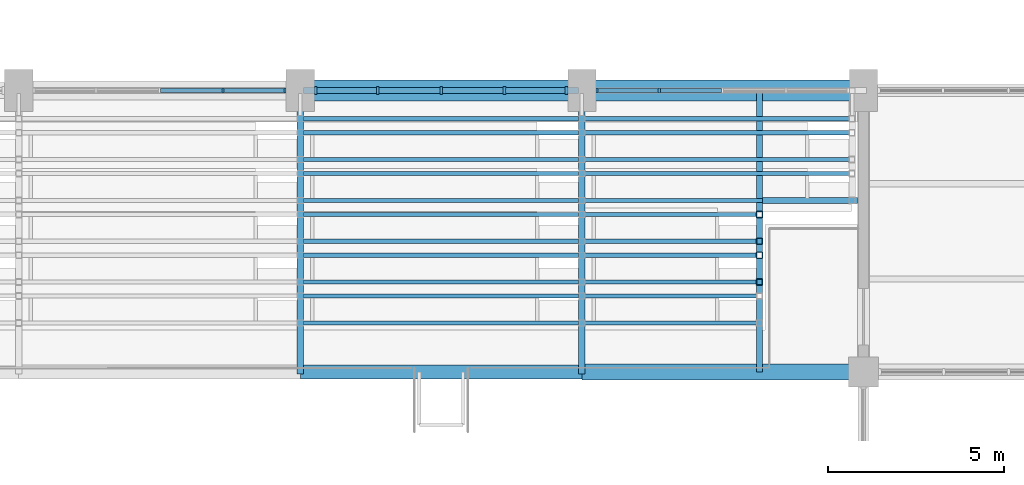
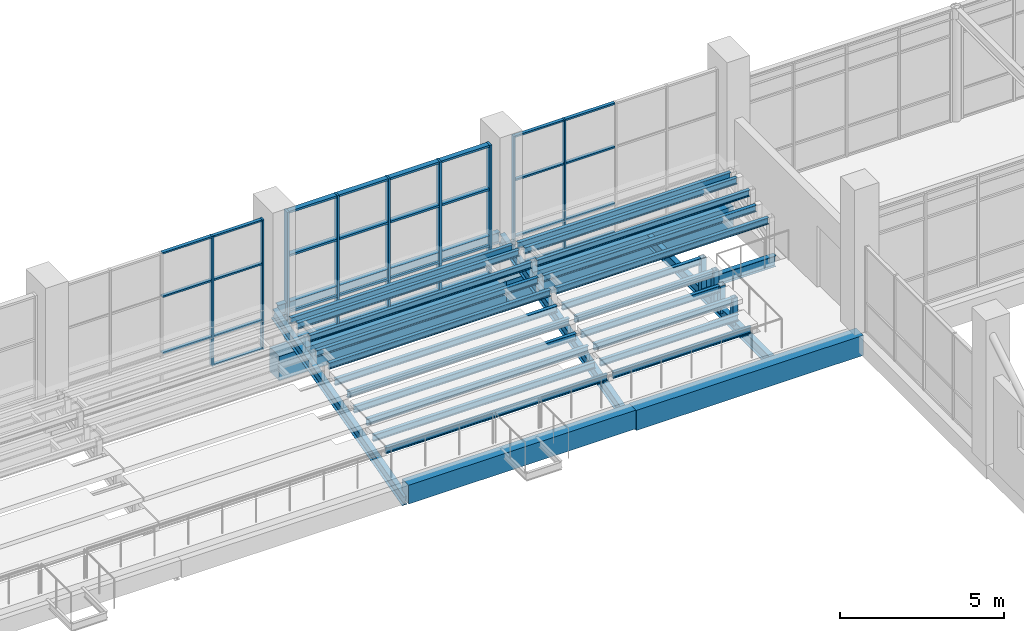
# One storey, part 17 of 122: 44 members, 31 beams, 3 elements without a shape of their own.
"""IFC4 building model written with IfcOpenShell, lengths in metres."""

from ifc_helpers import new_model, si_unit, direction, frame, origin, origin_2d, place, context, subcontext, project, spatial, rectangle, hollow_rectangle, i_section, extrude, material, material_profile, profile_set, type_object, element, aggregate, save


model = new_model("IFC4")

# Units and contexts
model_context = context("Model", 3, precision=1e-05, world=origin(), true_north=direction((0.0, 1.0)))
body_context = subcontext(model_context, "Body", "Model", "MODEL_VIEW")
ifc_project = project(units=[si_unit("LENGTHUNIT", "METRE"), si_unit("AREAUNIT", "SQUARE_METRE"), si_unit("VOLUMEUNIT", "CUBIC_METRE"), si_unit("PLANEANGLEUNIT", "RADIAN"), si_unit("MASSUNIT", "GRAM", prefix="KILO")], contexts=[model_context])

# Site, building, storey
site_placement = place(None, origin())
site = spatial("IfcSite", under=ifc_project, at=site_placement, CompositionType="ELEMENT")
building_placement = place(site_placement, origin())
building = spatial("IfcBuilding", under=site, at=building_placement, Name="Tenunan Teduh Sports Hall", CompositionType="ELEMENT")
storey_placement = place(building_placement, frame((0.0, 0.0, 5.39990234375)))
storey = spatial("IfcBuildingStorey", under=building, at=storey_placement, Name="L01", CompositionType="ELEMENT", Elevation=5.39990234375)

# Beams
ifc_material_1 = material(Name="Concrete C40/50", Category="concrete")
ifc_material_profile_1 = material_profile(ifc_material_1, rectangle(XDim=0.39990234375, YDim=0.699951171875, at=origin_2d()), Name="RCB 400x700")
ifc_profile_set_1 = profile_set([ifc_material_profile_1], Name="Concrete C40/50")
beam_type_1 = type_object("IfcBeamType", Name="BM-RC-400x700", PredefinedType="BEAM", material=ifc_profile_set_1)
beam_1_placement = place(storey_placement, frame((38.0, 38.0, -0.60986328125), z_axis=(1.0, 0.0, 0.0), x_axis=(0.0, 1.0, 0.0)))
element("IfcBeam", 1, at=beam_1_placement, inside=storey, type_object=beam_type_1, Name="BM-B-08-L01-1058", PredefinedType="BEAM", context=body_context, shape_type="SweptSolid", body=[
    extrude(rectangle(XDim=0.39990234375, YDim=0.699951171875, at=origin_2d()), origin(), (0.0, 0.0, 1.0), 8.0),
])
ifc_material_2 = material(Name="Concrete C40/50", Category="concrete")
ifc_material_profile_2 = material_profile(ifc_material_2, rectangle(XDim=0.449951171875, YDim=0.75, at=origin_2d()), Name="RCB 450x750")
ifc_profile_set_2 = profile_set([ifc_material_profile_2], Name="Concrete C40/50")
beam_type_2 = type_object("IfcBeamType", Name="BM-RC-450x750", PredefinedType="BEAM", material=ifc_profile_set_2)
beam_2_placement = place(storey_placement, frame((46.0, 38.0, -0.635009765625), z_axis=(1.0, 0.0, 0.0), x_axis=(0.0, 1.0, 0.0)))
element("IfcBeam", 2, at=beam_2_placement, inside=storey, type_object=beam_type_2, Name="BM-B-11-L01-1059", PredefinedType="BEAM", context=body_context, shape_type="SweptSolid", body=[
    extrude(rectangle(XDim=0.449951171875, YDim=0.75, at=origin_2d()), origin(), (0.0, 0.0, 1.0), 8.0),
])
ifc_material_3 = material(Name="Concrete C40/50", Category="concrete")
ifc_material_profile_3 = material_profile(ifc_material_3, rectangle(XDim=0.60009765625, YDim=1.0, at=origin_2d()), Name="RCB 600x1000")
ifc_profile_set_3 = profile_set([ifc_material_profile_3], Name="Concrete C40/50")
beam_type_3 = type_object("IfcBeamType", Name="BM-RC-600x1000", PredefinedType="BEAM", material=ifc_profile_set_3)
beam_3_placement = place(storey_placement, frame((46.0, 46.0, -0.760009765625), z_axis=(1.0, 0.0, 0.0), x_axis=(0.0, 1.0, 0.0)))
element("IfcBeam", 3, at=beam_3_placement, inside=storey, type_object=beam_type_3, Name="BM-B-18-L01-1075", PredefinedType="BEAM", context=body_context, shape_type="SweptSolid", body=[
    extrude(rectangle(XDim=0.60009765625, YDim=1.0, at=origin_2d()), origin(), (0.0, 0.0, 1.0), 8.0),
])
ifc_material_4 = material(Name="Concrete C40/50", Category="concrete")
ifc_material_profile_4 = material_profile(ifc_material_4, rectangle(XDim=0.60009765625, YDim=0.89990234375, at=origin_2d()), Name="RCB 600x900")
ifc_profile_set_4 = profile_set([ifc_material_profile_4], Name="Concrete C40/50")
beam_type_4 = type_object("IfcBeamType", Name="BM-RC-600x900", PredefinedType="BEAM", material=ifc_profile_set_4)
beam_4_placement = place(storey_placement, frame((38.0, 46.0, -0.7099609375), z_axis=(1.0, 0.0, 0.0), x_axis=(0.0, 1.0, 0.0)))
element("IfcBeam", 4, at=beam_4_placement, inside=storey, type_object=beam_type_4, Name="BM-B-17-L01-1074", PredefinedType="BEAM", context=body_context, shape_type="SweptSolid", body=[
    extrude(rectangle(XDim=0.60009765625, YDim=0.89990234375, at=origin_2d()), origin(), (0.0, 0.0, 1.0), 8.0),
])

# Curtain wall, members
ifc_material_5 = material(Name="Anodised aluminium", Category="aluminium")
curtain_wall_type = type_object("IfcCurtainWallType", Name="CW-UNIT-1", PredefinedType="NOTDEFINED", material=ifc_material_5)
curtain_wall_1_placement = place(storey_placement, origin())
curtain_wall_1 = element("IfcCurtainWall", 5, at=curtain_wall_1_placement, inside=storey, type_object=curtain_wall_type, Name="CW-CWM-150-L01-047", PredefinedType="NOTDEFINED")
ifc_material_6 = material(Name="Anodised aluminium", Category="aluminium")
ifc_material_profile_5 = material_profile(ifc_material_6, rectangle(XDim=0.06005859375, YDim=0.14990234375, at=origin_2d()), Name="CWM 60x150")
ifc_profile_set_5 = profile_set([ifc_material_profile_5], Name="Anodised aluminium")
member_type_1 = type_object("IfcMemberType", Name="CWM-150", PredefinedType="MULLION", material=ifc_profile_set_5)
member_1_placement = place(storey_placement, frame((35.800048828125, 46.0, 0.0), z_axis=(0.0, 0.0, 1.0), x_axis=(1.0, 0.0, 0.0)))
member_1 = element("IfcMember", 6, at=member_1_placement, type_object=member_type_1, Name="CW-01 mullion 4", PredefinedType="MULLION", context=body_context, shape_type="SweptSolid", body=[
    extrude(rectangle(XDim=0.06005859375, YDim=0.14990234375, at=origin_2d()), origin(), (0.0, 0.0, 1.0), 4.85009765625),
])
member_2_placement = place(storey_placement, frame((37.570068359375, 46.0, 0.0), z_axis=(0.0, 0.0, 1.0), x_axis=(1.0, 0.0, 0.0)))
member_2 = element("IfcMember", 7, at=member_2_placement, type_object=member_type_1, Name="CW-01 mullion 5", PredefinedType="MULLION", context=body_context, shape_type="SweptSolid", body=[
    extrude(rectangle(XDim=0.06005859375, YDim=0.14990234375, at=origin_2d()), origin(), (0.0, 0.0, 1.0), 4.85009765625),
])

curtain_wall_2_placement = place(storey_placement, origin())
curtain_wall_2 = element("IfcCurtainWall", 8, at=curtain_wall_2_placement, inside=storey, type_object=curtain_wall_type, Name="CW-CWM-150-L01-051", PredefinedType="NOTDEFINED")
member_3_placement = place(storey_placement, frame((46.429931640625, 46.0, 0.0), z_axis=(0.0, 0.0, 1.0), x_axis=(1.0, 0.0, 0.0)))
member_3 = element("IfcMember", 9, at=member_3_placement, type_object=member_type_1, Name="CW-01 mullion 1", PredefinedType="MULLION", context=body_context, shape_type="SweptSolid", body=[
    extrude(rectangle(XDim=0.06005859375, YDim=0.14990234375, at=origin_2d()), origin(), (0.0, 0.0, 1.0), 4.85009765625),
])
member_4_placement = place(storey_placement, frame((48.199951171875, 46.0, 0.0), z_axis=(0.0, 0.0, 1.0), x_axis=(1.0, 0.0, 0.0)))
member_4 = element("IfcMember", 10, at=member_4_placement, type_object=member_type_1, Name="CW-01 mullion 2", PredefinedType="MULLION", context=body_context, shape_type="SweptSolid", body=[
    extrude(rectangle(XDim=0.06005859375, YDim=0.14990234375, at=origin_2d()), origin(), (0.0, 0.0, 1.0), 4.85009765625),
])

curtain_wall_3_placement = place(storey_placement, origin())
curtain_wall_3 = element("IfcCurtainWall", 11, at=curtain_wall_3_placement, inside=storey, type_object=curtain_wall_type, Name="CW-CWM-220-L01-049", PredefinedType="NOTDEFINED")
ifc_material_7 = material(Name="Anodised aluminium", Category="aluminium")
ifc_material_profile_6 = material_profile(ifc_material_7, rectangle(XDim=0.074951171875, YDim=0.219970703125, at=origin_2d()), Name="CWM 75x220")
ifc_profile_set_6 = profile_set([ifc_material_profile_6], Name="Anodised aluminium")
member_type_2 = type_object("IfcMemberType", Name="CWM-220", PredefinedType="MULLION", material=ifc_profile_set_6)
member_5_placement = place(storey_placement, frame((38.4375, 46.0, 0.0), z_axis=(0.0, 0.0, 1.0), x_axis=(1.0, 0.0, 0.0)))
member_5 = element("IfcMember", 12, at=member_5_placement, type_object=member_type_2, Name="CW-01 mullion 1", PredefinedType="MULLION", context=body_context, shape_type="SweptSolid", body=[
    extrude(rectangle(XDim=0.074951171875, YDim=0.219970703125, at=origin_2d()), origin(), (0.0, 0.0, 1.0), 4.85009765625),
])
member_6_placement = place(storey_placement, frame((40.199951171875, 46.0, 0.0), z_axis=(0.0, 0.0, 1.0), x_axis=(1.0, 0.0, 0.0)))
member_6 = element("IfcMember", 13, at=member_6_placement, type_object=member_type_2, Name="CW-01 mullion 2", PredefinedType="MULLION", context=body_context, shape_type="SweptSolid", body=[
    extrude(rectangle(XDim=0.074951171875, YDim=0.219970703125, at=origin_2d()), origin(), (0.0, 0.0, 1.0), 4.85009765625),
])
member_7_placement = place(storey_placement, frame((42.0, 46.0, 0.0), z_axis=(0.0, 0.0, 1.0), x_axis=(1.0, 0.0, 0.0)))
member_7 = element("IfcMember", 14, at=member_7_placement, type_object=member_type_2, Name="CW-01 mullion 3", PredefinedType="MULLION", context=body_context, shape_type="SweptSolid", body=[
    extrude(rectangle(XDim=0.074951171875, YDim=0.219970703125, at=origin_2d()), origin(), (0.0, 0.0, 1.0), 4.85009765625),
])
member_8_placement = place(storey_placement, frame((43.800048828125, 46.0, 0.0), z_axis=(0.0, 0.0, 1.0), x_axis=(1.0, 0.0, 0.0)))
member_8 = element("IfcMember", 15, at=member_8_placement, type_object=member_type_2, Name="CW-01 mullion 4", PredefinedType="MULLION", context=body_context, shape_type="SweptSolid", body=[
    extrude(rectangle(XDim=0.074951171875, YDim=0.219970703125, at=origin_2d()), origin(), (0.0, 0.0, 1.0), 4.85009765625),
])
member_9_placement = place(storey_placement, frame((45.5625, 46.0, 0.0), z_axis=(0.0, 0.0, 1.0), x_axis=(1.0, 0.0, 0.0)))
member_9 = element("IfcMember", 16, at=member_9_placement, type_object=member_type_2, Name="CW-01 mullion 5", PredefinedType="MULLION", context=body_context, shape_type="SweptSolid", body=[
    extrude(rectangle(XDim=0.074951171875, YDim=0.219970703125, at=origin_2d()), origin(), (0.0, 0.0, 1.0), 4.85009765625),
])

# Member
ifc_material_8 = material(Name="Anodised aluminium", Category="aluminium")
ifc_material_profile_7 = material_profile(ifc_material_8, rectangle(XDim=0.06005859375, YDim=0.1201171875, at=origin_2d()), Name="CWT 60x120")
ifc_profile_set_7 = profile_set([ifc_material_profile_7], Name="Anodised aluminium")
member_type_3 = type_object("IfcMemberType", Name="CWT-125", PredefinedType="USERDEFINED", material=ifc_profile_set_7)
member_10_placement = place(storey_placement, frame((34.030029296875, 46.0, 1.10009765625), z_axis=(1.0, 0.0, 0.0), x_axis=(0.0, 0.0, 1.0)))
member_10 = element("IfcMember", 17, at=member_10_placement, type_object=member_type_3, Name="CW-01 transom 3.2", ObjectType="TRANSOM", PredefinedType="USERDEFINED", context=body_context, shape_type="SweptSolid", body=[
    extrude(rectangle(XDim=0.06005859375, YDim=0.1201171875, at=origin_2d()), origin(), (0.0, 0.0, 1.0), 1.739990234375),
])

member_11_placement = place(storey_placement, frame((34.030029296875, 46.0, 3.2001953125), z_axis=(1.0, 0.0, 0.0), x_axis=(0.0, 0.0, 1.0)))
member_11 = element("IfcMember", 18, at=member_11_placement, type_object=member_type_3, Name="CW-01 transom 3.3", ObjectType="TRANSOM", PredefinedType="USERDEFINED", context=body_context, shape_type="SweptSolid", body=[
    extrude(rectangle(XDim=0.06005859375, YDim=0.1201171875, at=origin_2d()), origin(), (0.0, 0.0, 1.0), 1.739990234375),
])

member_12_placement = place(storey_placement, frame((34.030029296875, 46.0, 4.820068359375), z_axis=(1.0, 0.0, 0.0), x_axis=(0.0, 0.0, 1.0)))
member_12 = element("IfcMember", 19, at=member_12_placement, type_object=member_type_3, Name="CW-01 transom 3.4", ObjectType="TRANSOM", PredefinedType="USERDEFINED", context=body_context, shape_type="SweptSolid", body=[
    extrude(rectangle(XDim=0.06005859375, YDim=0.1201171875, at=origin_2d()), origin(), (0.0, 0.0, 1.0), 1.739990234375),
])

member_13_placement = place(storey_placement, frame((35.830078125, 46.0, 0.030029296875), z_axis=(1.0, 0.0, 0.0), x_axis=(0.0, 0.0, 1.0)))
member_13 = element("IfcMember", 20, at=member_13_placement, type_object=member_type_3, Name="CW-01 transom 4.1", ObjectType="TRANSOM", PredefinedType="USERDEFINED", context=body_context, shape_type="SweptSolid", body=[
    extrude(rectangle(XDim=0.06005859375, YDim=0.1201171875, at=origin_2d()), origin(), (0.0, 0.0, 1.0), 1.7099609375),
])

member_14_placement = place(storey_placement, frame((35.830078125, 46.0, 1.10009765625), z_axis=(1.0, 0.0, 0.0), x_axis=(0.0, 0.0, 1.0)))
member_14 = element("IfcMember", 21, at=member_14_placement, type_object=member_type_3, Name="CW-01 transom 4.2", ObjectType="TRANSOM", PredefinedType="USERDEFINED", context=body_context, shape_type="SweptSolid", body=[
    extrude(rectangle(XDim=0.06005859375, YDim=0.1201171875, at=origin_2d()), origin(), (0.0, 0.0, 1.0), 1.7099609375),
])

member_15_placement = place(storey_placement, frame((35.830078125, 46.0, 3.2001953125), z_axis=(1.0, 0.0, 0.0), x_axis=(0.0, 0.0, 1.0)))
member_15 = element("IfcMember", 22, at=member_15_placement, type_object=member_type_3, Name="CW-01 transom 4.3", ObjectType="TRANSOM", PredefinedType="USERDEFINED", context=body_context, shape_type="SweptSolid", body=[
    extrude(rectangle(XDim=0.06005859375, YDim=0.1201171875, at=origin_2d()), origin(), (0.0, 0.0, 1.0), 1.7099609375),
])

member_16_placement = place(storey_placement, frame((35.830078125, 46.0, 4.820068359375), z_axis=(1.0, 0.0, 0.0), x_axis=(0.0, 0.0, 1.0)))
member_16 = element("IfcMember", 23, at=member_16_placement, type_object=member_type_3, Name="CW-01 transom 4.4", ObjectType="TRANSOM", PredefinedType="USERDEFINED", context=body_context, shape_type="SweptSolid", body=[
    extrude(rectangle(XDim=0.06005859375, YDim=0.1201171875, at=origin_2d()), origin(), (0.0, 0.0, 1.0), 1.7099609375),
])

aggregate(curtain_wall_1, [member_1, member_2, member_10, member_11, member_12, member_13, member_14, member_15, member_16])

member_17_placement = place(storey_placement, frame((46.4599609375, 46.0, 0.030029296875), z_axis=(1.0, 0.0, 0.0), x_axis=(0.0, 0.0, 1.0)))
member_17 = element("IfcMember", 24, at=member_17_placement, type_object=member_type_3, Name="CW-01 transom 1.1", ObjectType="TRANSOM", PredefinedType="USERDEFINED", context=body_context, shape_type="SweptSolid", body=[
    extrude(rectangle(XDim=0.06005859375, YDim=0.1201171875, at=origin_2d()), origin(), (0.0, 0.0, 1.0), 1.7099609375),
])

member_18_placement = place(storey_placement, frame((46.4599609375, 46.0, 1.10009765625), z_axis=(1.0, 0.0, 0.0), x_axis=(0.0, 0.0, 1.0)))
member_18 = element("IfcMember", 25, at=member_18_placement, type_object=member_type_3, Name="CW-01 transom 1.2", ObjectType="TRANSOM", PredefinedType="USERDEFINED", context=body_context, shape_type="SweptSolid", body=[
    extrude(rectangle(XDim=0.06005859375, YDim=0.1201171875, at=origin_2d()), origin(), (0.0, 0.0, 1.0), 1.7099609375),
])

member_19_placement = place(storey_placement, frame((46.4599609375, 46.0, 3.2001953125), z_axis=(1.0, 0.0, 0.0), x_axis=(0.0, 0.0, 1.0)))
member_19 = element("IfcMember", 26, at=member_19_placement, type_object=member_type_3, Name="CW-01 transom 1.3", ObjectType="TRANSOM", PredefinedType="USERDEFINED", context=body_context, shape_type="SweptSolid", body=[
    extrude(rectangle(XDim=0.06005859375, YDim=0.1201171875, at=origin_2d()), origin(), (0.0, 0.0, 1.0), 1.7099609375),
])

member_20_placement = place(storey_placement, frame((46.4599609375, 46.0, 4.820068359375), z_axis=(1.0, 0.0, 0.0), x_axis=(0.0, 0.0, 1.0)))
member_20 = element("IfcMember", 27, at=member_20_placement, type_object=member_type_3, Name="CW-01 transom 1.4", ObjectType="TRANSOM", PredefinedType="USERDEFINED", context=body_context, shape_type="SweptSolid", body=[
    extrude(rectangle(XDim=0.06005859375, YDim=0.1201171875, at=origin_2d()), origin(), (0.0, 0.0, 1.0), 1.7099609375),
])

member_21_placement = place(storey_placement, frame((48.22998046875, 46.0, 0.030029296875), z_axis=(1.0, 0.0, 0.0), x_axis=(0.0, 0.0, 1.0)))
member_21 = element("IfcMember", 28, at=member_21_placement, type_object=member_type_3, Name="CW-01 transom 2.1", ObjectType="TRANSOM", PredefinedType="USERDEFINED", context=body_context, shape_type="SweptSolid", body=[
    extrude(rectangle(XDim=0.06005859375, YDim=0.1201171875, at=origin_2d()), origin(), (0.0, 0.0, 1.0), 1.739990234375),
])

member_22_placement = place(storey_placement, frame((48.22998046875, 46.0, 1.10009765625), z_axis=(1.0, 0.0, 0.0), x_axis=(0.0, 0.0, 1.0)))
member_22 = element("IfcMember", 29, at=member_22_placement, type_object=member_type_3, Name="CW-01 transom 2.2", ObjectType="TRANSOM", PredefinedType="USERDEFINED", context=body_context, shape_type="SweptSolid", body=[
    extrude(rectangle(XDim=0.06005859375, YDim=0.1201171875, at=origin_2d()), origin(), (0.0, 0.0, 1.0), 1.739990234375),
])

member_23_placement = place(storey_placement, frame((48.22998046875, 46.0, 3.2001953125), z_axis=(1.0, 0.0, 0.0), x_axis=(0.0, 0.0, 1.0)))
member_23 = element("IfcMember", 30, at=member_23_placement, type_object=member_type_3, Name="CW-01 transom 2.3", ObjectType="TRANSOM", PredefinedType="USERDEFINED", context=body_context, shape_type="SweptSolid", body=[
    extrude(rectangle(XDim=0.06005859375, YDim=0.1201171875, at=origin_2d()), origin(), (0.0, 0.0, 1.0), 1.739990234375),
])

member_24_placement = place(storey_placement, frame((48.22998046875, 46.0, 4.820068359375), z_axis=(1.0, 0.0, 0.0), x_axis=(0.0, 0.0, 1.0)))
member_24 = element("IfcMember", 31, at=member_24_placement, type_object=member_type_3, Name="CW-01 transom 2.4", ObjectType="TRANSOM", PredefinedType="USERDEFINED", context=body_context, shape_type="SweptSolid", body=[
    extrude(rectangle(XDim=0.06005859375, YDim=0.1201171875, at=origin_2d()), origin(), (0.0, 0.0, 1.0), 1.739990234375),
])

aggregate(curtain_wall_2, [member_3, member_4, member_17, member_18, member_19, member_20, member_21, member_22, member_23, member_24])

ifc_material_9 = material(Name="Anodised aluminium", Category="aluminium")
ifc_material_profile_8 = material_profile(ifc_material_9, rectangle(XDim=0.074951171875, YDim=0.179931640625, at=origin_2d()), Name="CWT 75x180")
ifc_profile_set_8 = profile_set([ifc_material_profile_8], Name="Anodised aluminium")
member_type_4 = type_object("IfcMemberType", Name="CWT-180", PredefinedType="USERDEFINED", material=ifc_profile_set_8)
member_25_placement = place(storey_placement, frame((38.47509765625, 46.0, 0.03759765625), z_axis=(1.0, 0.0, 0.0), x_axis=(0.0, 0.0, 1.0)))
member_25 = element("IfcMember", 32, at=member_25_placement, type_object=member_type_4, Name="CW-01 transom 1.1", ObjectType="TRANSOM", PredefinedType="USERDEFINED", context=body_context, shape_type="SweptSolid", body=[
    extrude(rectangle(XDim=0.074951171875, YDim=0.179931640625, at=origin_2d()), origin(), (0.0, 0.0, 1.0), 1.6875),
])

member_26_placement = place(storey_placement, frame((38.47509765625, 46.0, 1.10009765625), z_axis=(1.0, 0.0, 0.0), x_axis=(0.0, 0.0, 1.0)))
member_26 = element("IfcMember", 33, at=member_26_placement, type_object=member_type_4, Name="CW-01 transom 1.2", ObjectType="TRANSOM", PredefinedType="USERDEFINED", context=body_context, shape_type="SweptSolid", body=[
    extrude(rectangle(XDim=0.074951171875, YDim=0.179931640625, at=origin_2d()), origin(), (0.0, 0.0, 1.0), 1.6875),
])

member_27_placement = place(storey_placement, frame((38.47509765625, 46.0, 3.2001953125), z_axis=(1.0, 0.0, 0.0), x_axis=(0.0, 0.0, 1.0)))
member_27 = element("IfcMember", 34, at=member_27_placement, type_object=member_type_4, Name="CW-01 transom 1.3", ObjectType="TRANSOM", PredefinedType="USERDEFINED", context=body_context, shape_type="SweptSolid", body=[
    extrude(rectangle(XDim=0.074951171875, YDim=0.179931640625, at=origin_2d()), origin(), (0.0, 0.0, 1.0), 1.6875),
])

member_28_placement = place(storey_placement, frame((38.47509765625, 46.0, 4.8125), z_axis=(1.0, 0.0, 0.0), x_axis=(0.0, 0.0, 1.0)))
member_28 = element("IfcMember", 35, at=member_28_placement, type_object=member_type_4, Name="CW-01 transom 1.4", ObjectType="TRANSOM", PredefinedType="USERDEFINED", context=body_context, shape_type="SweptSolid", body=[
    extrude(rectangle(XDim=0.074951171875, YDim=0.179931640625, at=origin_2d()), origin(), (0.0, 0.0, 1.0), 1.6875),
])

member_29_placement = place(storey_placement, frame((40.237548828125, 46.0, 0.03759765625), z_axis=(1.0, 0.0, 0.0), x_axis=(0.0, 0.0, 1.0)))
member_29 = element("IfcMember", 36, at=member_29_placement, type_object=member_type_4, Name="CW-01 transom 2.1", ObjectType="TRANSOM", PredefinedType="USERDEFINED", context=body_context, shape_type="SweptSolid", body=[
    extrude(rectangle(XDim=0.074951171875, YDim=0.179931640625, at=origin_2d()), origin(), (0.0, 0.0, 1.0), 1.724853515625),
])

member_30_placement = place(storey_placement, frame((40.237548828125, 46.0, 1.10009765625), z_axis=(1.0, 0.0, 0.0), x_axis=(0.0, 0.0, 1.0)))
member_30 = element("IfcMember", 37, at=member_30_placement, type_object=member_type_4, Name="CW-01 transom 2.2", ObjectType="TRANSOM", PredefinedType="USERDEFINED", context=body_context, shape_type="SweptSolid", body=[
    extrude(rectangle(XDim=0.074951171875, YDim=0.179931640625, at=origin_2d()), origin(), (0.0, 0.0, 1.0), 1.724853515625),
])

member_31_placement = place(storey_placement, frame((40.237548828125, 46.0, 3.2001953125), z_axis=(1.0, 0.0, 0.0), x_axis=(0.0, 0.0, 1.0)))
member_31 = element("IfcMember", 38, at=member_31_placement, type_object=member_type_4, Name="CW-01 transom 2.3", ObjectType="TRANSOM", PredefinedType="USERDEFINED", context=body_context, shape_type="SweptSolid", body=[
    extrude(rectangle(XDim=0.074951171875, YDim=0.179931640625, at=origin_2d()), origin(), (0.0, 0.0, 1.0), 1.724853515625),
])

member_32_placement = place(storey_placement, frame((40.237548828125, 46.0, 4.8125), z_axis=(1.0, 0.0, 0.0), x_axis=(0.0, 0.0, 1.0)))
member_32 = element("IfcMember", 39, at=member_32_placement, type_object=member_type_4, Name="CW-01 transom 2.4", ObjectType="TRANSOM", PredefinedType="USERDEFINED", context=body_context, shape_type="SweptSolid", body=[
    extrude(rectangle(XDim=0.074951171875, YDim=0.179931640625, at=origin_2d()), origin(), (0.0, 0.0, 1.0), 1.724853515625),
])

member_33_placement = place(storey_placement, frame((42.03759765625, 46.0, 0.03759765625), z_axis=(1.0, 0.0, 0.0), x_axis=(0.0, 0.0, 1.0)))
member_33 = element("IfcMember", 40, at=member_33_placement, type_object=member_type_4, Name="CW-01 transom 3.1", ObjectType="TRANSOM", PredefinedType="USERDEFINED", context=body_context, shape_type="SweptSolid", body=[
    extrude(rectangle(XDim=0.074951171875, YDim=0.179931640625, at=origin_2d()), origin(), (0.0, 0.0, 1.0), 1.724853515625),
])

member_34_placement = place(storey_placement, frame((42.03759765625, 46.0, 1.10009765625), z_axis=(1.0, 0.0, 0.0), x_axis=(0.0, 0.0, 1.0)))
member_34 = element("IfcMember", 41, at=member_34_placement, type_object=member_type_4, Name="CW-01 transom 3.2", ObjectType="TRANSOM", PredefinedType="USERDEFINED", context=body_context, shape_type="SweptSolid", body=[
    extrude(rectangle(XDim=0.074951171875, YDim=0.179931640625, at=origin_2d()), origin(), (0.0, 0.0, 1.0), 1.724853515625),
])

member_35_placement = place(storey_placement, frame((42.03759765625, 46.0, 3.2001953125), z_axis=(1.0, 0.0, 0.0), x_axis=(0.0, 0.0, 1.0)))
member_35 = element("IfcMember", 42, at=member_35_placement, type_object=member_type_4, Name="CW-01 transom 3.3", ObjectType="TRANSOM", PredefinedType="USERDEFINED", context=body_context, shape_type="SweptSolid", body=[
    extrude(rectangle(XDim=0.074951171875, YDim=0.179931640625, at=origin_2d()), origin(), (0.0, 0.0, 1.0), 1.724853515625),
])

member_36_placement = place(storey_placement, frame((42.03759765625, 46.0, 4.8125), z_axis=(1.0, 0.0, 0.0), x_axis=(0.0, 0.0, 1.0)))
member_36 = element("IfcMember", 43, at=member_36_placement, type_object=member_type_4, Name="CW-01 transom 3.4", ObjectType="TRANSOM", PredefinedType="USERDEFINED", context=body_context, shape_type="SweptSolid", body=[
    extrude(rectangle(XDim=0.074951171875, YDim=0.179931640625, at=origin_2d()), origin(), (0.0, 0.0, 1.0), 1.724853515625),
])

member_37_placement = place(storey_placement, frame((43.83740234375, 46.0, 0.03759765625), z_axis=(1.0, 0.0, 0.0), x_axis=(0.0, 0.0, 1.0)))
member_37 = element("IfcMember", 44, at=member_37_placement, type_object=member_type_4, Name="CW-01 transom 4.1", ObjectType="TRANSOM", PredefinedType="USERDEFINED", context=body_context, shape_type="SweptSolid", body=[
    extrude(rectangle(XDim=0.074951171875, YDim=0.179931640625, at=origin_2d()), origin(), (0.0, 0.0, 1.0), 1.6875),
])

member_38_placement = place(storey_placement, frame((43.83740234375, 46.0, 1.10009765625), z_axis=(1.0, 0.0, 0.0), x_axis=(0.0, 0.0, 1.0)))
member_38 = element("IfcMember", 45, at=member_38_placement, type_object=member_type_4, Name="CW-01 transom 4.2", ObjectType="TRANSOM", PredefinedType="USERDEFINED", context=body_context, shape_type="SweptSolid", body=[
    extrude(rectangle(XDim=0.074951171875, YDim=0.179931640625, at=origin_2d()), origin(), (0.0, 0.0, 1.0), 1.6875),
])

member_39_placement = place(storey_placement, frame((43.83740234375, 46.0, 3.2001953125), z_axis=(1.0, 0.0, 0.0), x_axis=(0.0, 0.0, 1.0)))
member_39 = element("IfcMember", 46, at=member_39_placement, type_object=member_type_4, Name="CW-01 transom 4.3", ObjectType="TRANSOM", PredefinedType="USERDEFINED", context=body_context, shape_type="SweptSolid", body=[
    extrude(rectangle(XDim=0.074951171875, YDim=0.179931640625, at=origin_2d()), origin(), (0.0, 0.0, 1.0), 1.6875),
])

member_40_placement = place(storey_placement, frame((43.83740234375, 46.0, 4.8125), z_axis=(1.0, 0.0, 0.0), x_axis=(0.0, 0.0, 1.0)))
member_40 = element("IfcMember", 47, at=member_40_placement, type_object=member_type_4, Name="CW-01 transom 4.4", ObjectType="TRANSOM", PredefinedType="USERDEFINED", context=body_context, shape_type="SweptSolid", body=[
    extrude(rectangle(XDim=0.074951171875, YDim=0.179931640625, at=origin_2d()), origin(), (0.0, 0.0, 1.0), 1.6875),
])

aggregate(curtain_wall_3, [member_5, member_6, member_7, member_8, member_9, member_25, member_26, member_27, member_28, member_29, member_30, member_31, member_32, member_33, member_34, member_35, member_36, member_37, member_38, member_39, member_40])

# Beams
ifc_material_10 = material(Name="Steel S355", Category="steel")
ifc_material_profile_9 = material_profile(ifc_material_10, i_section(OverallWidth=0.1201171875, OverallDepth=0.239990234375, WebThickness=0.006103515625, FlangeThickness=0.009765625, FilletRadius=0.014892578125, at=origin_2d()), Name="IPE 240")
ifc_profile_set_9 = profile_set([ifc_material_profile_9], Name="Steel S355")
beam_type_5 = type_object("IfcBeamType", Name="JST-IPE240", PredefinedType="JOIST", material=ifc_profile_set_9)
beam_5_placement = place(storey_placement, frame((38.090087890625, 45.199951171875, 1.360107421875), z_axis=(1.0, 0.0, 0.0), x_axis=(0.0, 1.0, 0.0)))
element("IfcBeam", 48, at=beam_5_placement, inside=storey, type_object=beam_type_5, Name="BM-J-02-L01-2413", PredefinedType="JOIST", context=body_context, shape_type="SweptSolid", body=[
    extrude(i_section(OverallWidth=0.1201171875, OverallDepth=0.239990234375, WebThickness=0.006103515625, FlangeThickness=0.009765625, FilletRadius=0.014892578125, at=origin_2d()), origin(), (0.0, 0.0, 1.0), 7.81982421875),
])
beam_6_placement = place(storey_placement, frame((46.090087890625, 45.199951171875, 1.360107421875), z_axis=(1.0, 0.0, 0.0), x_axis=(0.0, 1.0, 0.0)))
element("IfcBeam", 49, at=beam_6_placement, inside=storey, type_object=beam_type_5, Name="BM-J-02-L01-2415", PredefinedType="JOIST", context=body_context, shape_type="SweptSolid", body=[
    extrude(i_section(OverallWidth=0.1201171875, OverallDepth=0.239990234375, WebThickness=0.006103515625, FlangeThickness=0.009765625, FilletRadius=0.014892578125, at=origin_2d()), origin(), (0.0, 0.0, 1.0), 7.5),
])
for number, where, z_axis, x_axis, name in (
    (50, (38.090087890625, 39.39990234375, 0.050048828125), (1.0, 0.0, 0.0), (0.0, 1.0, 0.0), "BM-J-02-L01-2496"),
    (51, (38.090087890625, 40.159912109375, 0.050048828125), (1.0, 0.0, 0.0), (0.0, 1.0, 0.0), "BM-J-02-L01-2497"),
    (52, (38.090087890625, 40.56005859375, 0.405029296875), (1.0, 0.0, 0.0), (0.0, 1.0, 0.0), "BM-J-02-L01-2500"),
    (53, (38.090087890625, 41.320068359375, 0.405029296875), (1.0, 0.0, 0.0), (0.0, 1.0, 0.0), "BM-J-02-L01-2501"),
    (54, (38.090087890625, 41.719970703125, 0.72998046875), (1.0, 0.0, 0.0), (0.0, 1.0, 0.0), "BM-J-02-L01-2504"),
    (55, (38.090087890625, 42.47998046875, 0.72998046875), (1.0, 0.0, 0.0), (0.0, 1.0, 0.0), "BM-J-02-L01-2505"),
    (56, (38.090087890625, 42.8798828125, 1.085205078125), (1.0, 0.0, 0.0), (0.0, 1.0, 0.0), "BM-J-02-L01-2508"),
    (57, (38.090087890625, 43.639892578125, 1.085205078125), (1.0, 0.0, 0.0), (0.0, 1.0, 0.0), "BM-J-02-L01-2509"),
    (58, (38.090087890625, 44.0400390625, 1.41015625), (1.0, 0.0, 0.0), (0.0, 1.0, 0.0), "BM-J-02-L01-2512"),
    (59, (38.090087890625, 44.800048828125, 1.41015625), (1.0, 0.0, 0.0), (0.0, 1.0, 0.0), "BM-J-02-L01-2513"),
):
    element("IfcBeam", number, at=place(storey_placement, frame(where, z_axis=z_axis, x_axis=x_axis)), inside=storey, type_object=beam_type_5, Name=name, PredefinedType="JOIST", context=body_context, shape_type="SweptSolid", body=[
        extrude(i_section(OverallWidth=0.1201171875, OverallDepth=0.239990234375, WebThickness=0.006103515625, FlangeThickness=0.009765625, FilletRadius=0.014892578125, at=origin_2d()), origin(), (0.0, 0.0, 1.0), 7.81982421875),
    ])
for number, where, z_axis, x_axis, name in (
    (60, (46.090087890625, 39.39990234375, 0.050048828125), (1.0, 0.0, 0.0), (0.0, 1.0, 0.0), "BM-J-02-L01-2516"),
    (61, (46.090087890625, 40.159912109375, 0.050048828125), (1.0, 0.0, 0.0), (0.0, 1.0, 0.0), "BM-J-02-L01-2517"),
    (62, (46.090087890625, 40.56005859375, 0.405029296875), (1.0, 0.0, 0.0), (0.0, 1.0, 0.0), "BM-J-02-L01-2520"),
    (63, (46.090087890625, 41.320068359375, 0.405029296875), (1.0, 0.0, 0.0), (0.0, 1.0, 0.0), "BM-J-02-L01-2521"),
    (64, (46.090087890625, 41.719970703125, 0.72998046875), (1.0, 0.0, 0.0), (0.0, 1.0, 0.0), "BM-J-02-L01-2524"),
    (65, (46.090087890625, 42.47998046875, 0.72998046875), (1.0, 0.0, 0.0), (0.0, 1.0, 0.0), "BM-J-02-L01-2525"),
):
    element("IfcBeam", number, at=place(storey_placement, frame(where, z_axis=z_axis, x_axis=x_axis)), inside=storey, type_object=beam_type_5, Name=name, PredefinedType="JOIST", context=body_context, shape_type="SweptSolid", body=[
        extrude(i_section(OverallWidth=0.1201171875, OverallDepth=0.239990234375, WebThickness=0.006103515625, FlangeThickness=0.009765625, FilletRadius=0.014892578125, at=origin_2d()), origin(), (0.0, 0.0, 1.0), 4.869873046875),
    ])
for number, where, z_axis, x_axis, name in (
    (66, (46.090087890625, 42.8798828125, 1.085205078125), (1.0, 0.0, 0.0), (0.0, 1.0, 0.0), "BM-J-02-L01-2528"),
    (67, (46.090087890625, 43.639892578125, 1.085205078125), (1.0, 0.0, 0.0), (0.0, 1.0, 0.0), "BM-J-02-L01-2529"),
    (68, (46.090087890625, 44.0400390625, 1.41015625), (1.0, 0.0, 0.0), (0.0, 1.0, 0.0), "BM-J-02-L01-2532"),
    (69, (46.090087890625, 44.800048828125, 1.41015625), (1.0, 0.0, 0.0), (0.0, 1.0, 0.0), "BM-J-02-L01-2533"),
):
    element("IfcBeam", number, at=place(storey_placement, frame(where, z_axis=z_axis, x_axis=x_axis)), inside=storey, type_object=beam_type_5, Name=name, PredefinedType="JOIST", context=body_context, shape_type="SweptSolid", body=[
        extrude(i_section(OverallWidth=0.1201171875, OverallDepth=0.239990234375, WebThickness=0.006103515625, FlangeThickness=0.009765625, FilletRadius=0.014892578125, at=origin_2d()), origin(), (0.0, 0.0, 1.0), 7.5),
    ])

# Members
ifc_material_11 = material(Name="Steel S355", Category="steel")
ifc_material_profile_10 = material_profile(ifc_material_11, hollow_rectangle(XDim=0.179931640625, YDim=0.179931640625, WallThickness=0.010009765625, at=origin_2d()), Name="SHS 180x180x10.0")
ifc_profile_set_10 = profile_set([ifc_material_profile_10], Name="Steel S355")
member_type_5 = type_object("IfcMemberType", Name="MEM-ST-SHS180", PredefinedType="STRUT", material=ifc_profile_set_10)
for number, where, z_axis, x_axis, name in (
    (70, (51.050048828125, 40.56005859375, -0.5), (0.0, 0.0, 1.0), (1.0, 0.0, 0.0), "MEM-VS-03-L01-1428"),
    (71, (51.050048828125, 41.320068359375, -0.5), (0.0, 0.0, 1.0), (1.0, 0.0, 0.0), "MEM-VS-03-L01-1429"),
):
    element("IfcMember", number, at=place(storey_placement, frame(where, z_axis=z_axis, x_axis=x_axis)), inside=storey, type_object=member_type_5, Name=name, PredefinedType="STRUT", context=body_context, shape_type="SweptSolid", body=[
        extrude(hollow_rectangle(XDim=0.179931640625, YDim=0.179931640625, WallThickness=0.010009765625, at=origin_2d()), origin(), (0.0, 0.0, 1.0), 1.025146484375),
    ])
for number, where, z_axis, x_axis, name in (
    (72, (51.050048828125, 41.719970703125, -0.5), (0.0, 0.0, 1.0), (1.0, 0.0, 0.0), "MEM-VS-03-L01-1432"),
    (73, (51.050048828125, 42.47998046875, -0.5), (0.0, 0.0, 1.0), (1.0, 0.0, 0.0), "MEM-VS-03-L01-1433"),
):
    element("IfcMember", number, at=place(storey_placement, frame(where, z_axis=z_axis, x_axis=x_axis)), inside=storey, type_object=member_type_5, Name=name, PredefinedType="STRUT", context=body_context, shape_type="SweptSolid", body=[
        extrude(hollow_rectangle(XDim=0.179931640625, YDim=0.179931640625, WallThickness=0.010009765625, at=origin_2d()), origin(), (0.0, 0.0, 1.0), 1.35009765625),
    ])

# Beams
ifc_material_12 = material(Name="Steel S355", Category="steel")
ifc_material_profile_11 = material_profile(ifc_material_12, i_section(OverallWidth=0.177978515625, OverallDepth=0.406494140625, WebThickness=0.0078125, FlangeThickness=0.0126953125, FilletRadius=0.01025390625, at=origin_2d()), Name="UKB 406x178x60")
ifc_profile_set_11 = profile_set([ifc_material_profile_11], Name="Steel S355")
beam_type_6 = type_object("IfcBeamType", Name="SBM-UKB406", PredefinedType="BEAM", material=ifc_profile_set_11)
beam_7_placement = place(storey_placement, frame((51.050048828125, 38.0, -0.47998046875), z_axis=(0.0, 1.0, 0.0), x_axis=(-1.0, 0.0, 0.0)))
element("IfcBeam", 74, at=beam_7_placement, inside=storey, type_object=beam_type_6, Name="BM-SB-03-L01-2388", PredefinedType="BEAM", context=body_context, shape_type="SweptSolid", body=[
    extrude(i_section(OverallWidth=0.177978515625, OverallDepth=0.406494140625, WebThickness=0.0078125, FlangeThickness=0.0126953125, FilletRadius=0.01025390625, at=origin_2d()), origin(), (0.0, 0.0, 1.0), 8.0),
])
for number, where, z_axis, x_axis, name in (
    (75, (38.0, 38.0, -0.953125), (0.0, 0.965735170115, 0.259529538209), (-1.0, 0.0, 0.0), "BM-SB-03-L01-2397"),
    (76, (46.0, 38.0, -0.953125), (0.0, 0.965735170115, 0.259529538209), (-1.0, 0.0, 0.0), "BM-SB-03-L01-2399"),
):
    element("IfcBeam", number, at=place(storey_placement, frame(where, z_axis=z_axis, x_axis=x_axis)), inside=storey, type_object=beam_type_6, Name=name, PredefinedType="BEAM", context=body_context, shape_type="SweptSolid", body=[
        extrude(i_section(OverallWidth=0.177978515625, OverallDepth=0.406494140625, WebThickness=0.0078125, FlangeThickness=0.0126953125, FilletRadius=0.01025390625, at=origin_2d()), origin(), (0.0, 0.0, 1.0), 8.283935546875),
    ])
beam_8_placement = place(storey_placement, frame((51.138916015625, 42.8798828125, -0.47998046875), z_axis=(1.0, 0.0, 0.0), x_axis=(0.0, 1.0, 0.0)))
element("IfcBeam", 77, at=beam_8_placement, inside=storey, type_object=beam_type_6, Name="BM-SB-03-L01-2401", PredefinedType="BEAM", context=body_context, shape_type="SweptSolid", body=[
    extrude(i_section(OverallWidth=0.177978515625, OverallDepth=0.406494140625, WebThickness=0.0078125, FlangeThickness=0.0126953125, FilletRadius=0.01025390625, at=origin_2d()), origin(), (0.0, 0.0, 1.0), 2.68603515625),
])
beam_9_placement = place(storey_placement, frame((38.090087890625, 46.0, 1.27685546875), z_axis=(1.0, 0.0, 0.0), x_axis=(0.0, 1.0, 0.0)))
element("IfcBeam", 78, at=beam_9_placement, inside=storey, type_object=beam_type_6, Name="BM-SB-03-L01-2412", PredefinedType="BEAM", context=body_context, shape_type="SweptSolid", body=[
    extrude(i_section(OverallWidth=0.177978515625, OverallDepth=0.406494140625, WebThickness=0.0078125, FlangeThickness=0.0126953125, FilletRadius=0.01025390625, at=origin_2d()), origin(), (0.0, 0.0, 1.0), 7.81982421875),
])

save(model, "model.ifc")
